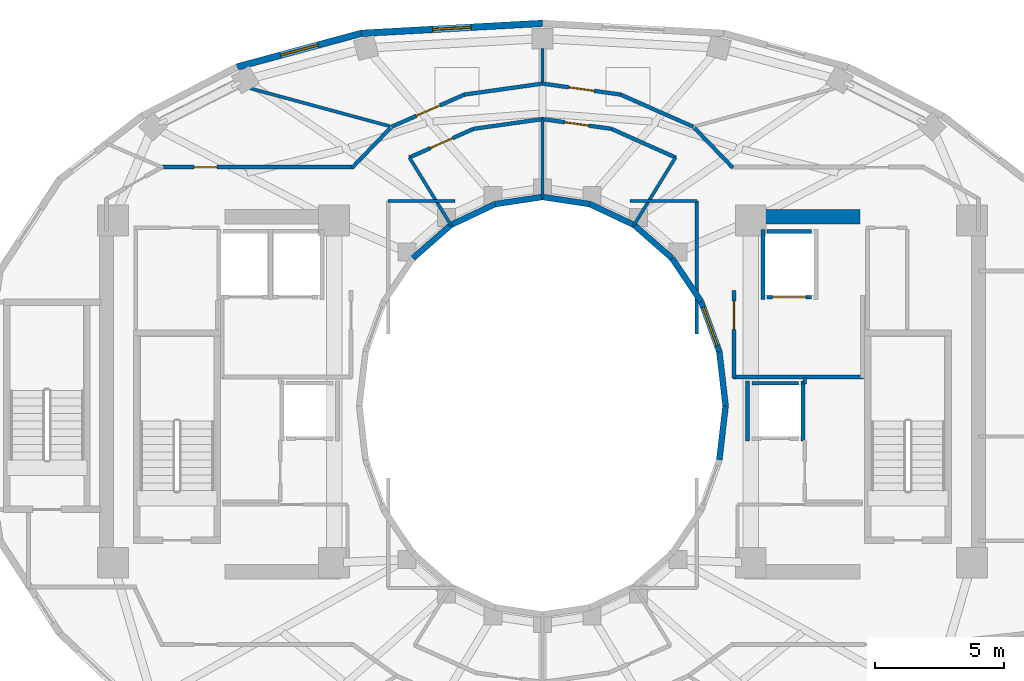
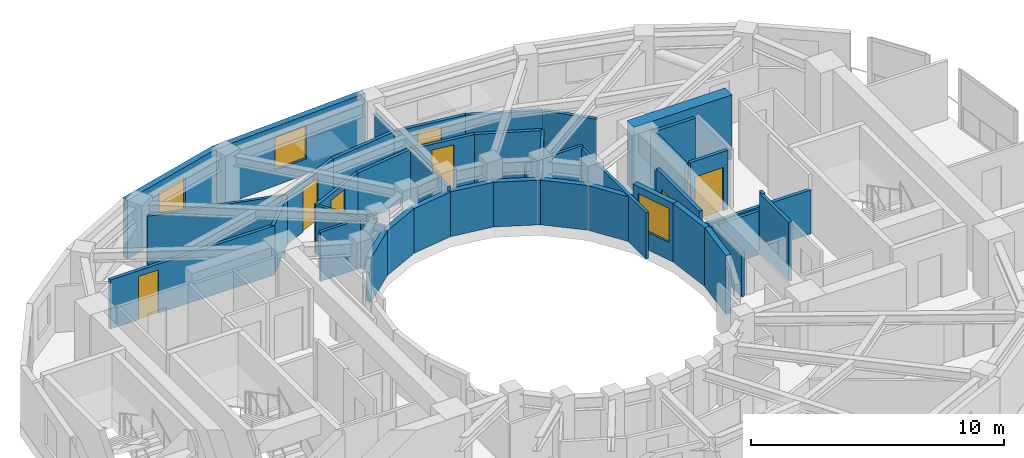
# One storey, part 8 of 12: 41 walls, 7 doors, 3 windows, 10 openings.
"""IFC4 building model written with IfcOpenShell, lengths in metres."""

from ifc_helpers import new_model, si_unit, direction, frame, frame_2d, origin, place, context, subcontext, project, spatial, rectangle, extrude, material, layer, layer_set, type_object, element, fill, save


model = new_model("IFC4")

# Units and contexts
model_context = context("Model", 3, precision=1e-05, world=origin(), true_north=direction((0.0, 1.0)))
body_context = subcontext(model_context, "Body", "Model", "MODEL_VIEW")
ifc_project = project(units=[si_unit("LENGTHUNIT", "METRE"), si_unit("AREAUNIT", "SQUARE_METRE"), si_unit("VOLUMEUNIT", "CUBIC_METRE"), si_unit("PLANEANGLEUNIT", "RADIAN"), si_unit("MASSUNIT", "GRAM", prefix="KILO")], contexts=[model_context])

# Site, building, storey
site_placement = place(None, origin())
site = spatial("IfcSite", under=ifc_project, at=site_placement, CompositionType="ELEMENT")
building_placement = place(site_placement, origin())
building = spatial("IfcBuilding", under=site, at=building_placement, Name="Solvane Sanctuary Tower", CompositionType="ELEMENT")
storey_placement = place(building_placement, frame((0.0, 0.0, 210.89990234375)))
storey = spatial("IfcBuildingStorey", under=building, at=storey_placement, Name="L64", CompositionType="ELEMENT", Elevation=210.89990234375)

# Walls
ifc_material_1 = material(Name="Concrete C50/60", Category="concrete")
ifc_layer_1 = layer(ifc_material_1, 0.550048828125, Name="Concrete C50/60")
ifc_layer_set_1 = layer_set([ifc_layer_1], Name="Concrete C50/60")
wall_type_1 = type_object("IfcWallType", Name="Wall W-CORE-550", PredefinedType="SHEAR", material=ifc_layer_set_1)
wall_1_placement = place(storey_placement, frame((39.85009765625, 30.35009765625, 0.0), z_axis=(0.0, 0.0, 1.0), x_axis=(1.0, 0.0, 0.0)))
element("IfcWall", 1, at=wall_1_placement, inside=storey, type_object=wall_type_1, Name="L64 Core Shear Wall EC-N", PredefinedType="SHEAR", context=body_context, shape_type="SweptSolid", body=[
    extrude(rectangle(XDim=4.5, YDim=0.550048828125, at=frame_2d((2.25, 0.0))), origin(), (0.0, 0.0, 1.0), 3.10009765625),
])
ifc_material_2 = material(Name="Acoustic Gypsum Partition Board")
ifc_layer_2 = layer(ifc_material_2, 0.14990234375, Name="Acoustic Gypsum Partition Board")
ifc_layer_set_2 = layer_set([ifc_layer_2], Name="Acoustic Gypsum Partition Board")
wall_type_2 = type_object("IfcWallType", Name="Wall W-CORR-150", PredefinedType="PARTITIONING", material=ifc_layer_set_2)
wall_2_placement = place(storey_placement, frame((39.39990234375, 24.1201171875, 0.0), z_axis=(0.0, 0.0, 1.0), x_axis=(1.0, 0.0, 0.0)))
element("IfcWall", 2, at=wall_2_placement, inside=storey, type_object=wall_type_2, Name="L64 East Firefighting Lobby South Wall", PredefinedType="PARTITIONING", context=body_context, shape_type="SweptSolid", body=[
    extrude(rectangle(XDim=5.080078125, YDim=0.14990234375, at=frame_2d((2.5400390625, 0.0))), origin(), (0.0, 0.0, 1.0), 2.1201171875),
])

# Wall, opening, door
wall_3_placement = place(storey_placement, frame((39.449951171875, 24.080078125, 0.0), z_axis=(0.0, 0.0, 1.0), x_axis=(0.0, 1.0, 0.0)))
wall_3 = element("IfcWall", 3, at=wall_3_placement, inside=storey, type_object=wall_type_2, Name="L64 East Firefighting Lobby West Wall", PredefinedType="PARTITIONING", context=body_context, shape_type="SweptSolid", body=[
    extrude(rectangle(XDim=3.39990234375, YDim=0.14990234375, at=frame_2d((1.699951171875, 0.0))), origin(), (0.0, 0.0, 1.0), 2.85498046875),
])
opening_1_placement = place(wall_3_placement, frame((1.893798828125, 0.0, 0.0)))
opening_1 = element("IfcOpeningElement", 4, at=opening_1_placement, cuts=wall_3, Name="Opening D-L64-05", PredefinedType="OPENING", context=body_context, shape_type="SweptSolid", body=[
    extrude(rectangle(XDim=1.10009765625, YDim=2.10009765625, at=frame_2d((0.550048828125, 1.050048828125))), frame((0.0, 0.0849609375, 0.0), z_axis=(0.0, -1.0, 0.0), x_axis=(1.0, 0.0, 0.0)), (0.0, 0.0, 1.0), 0.169921875),
])
ifc_material_3 = material(Name="Architectural Stainless Steel 316", Category="steel")
door_type_1 = type_object("IfcDoorType", Name="Door D-FFL", OperationType="NOTDEFINED", PredefinedType="DOOR", material=ifc_material_3)
door_1_placement = place(opening_1_placement, origin())
door_1 = element("IfcDoor", 5, at=door_1_placement, inside=storey, type_object=door_type_1, Name="L64 East Firefighting Lobby Fire Door", OperationType="SINGLE_SWING_LEFT", OverallHeight=2.10009765625, OverallWidth=1.10009765625, PredefinedType="DOOR", context=body_context, shape_type="SweptSolid", body=[
    extrude(rectangle(XDim=1.10009765625, YDim=2.10009765625, at=frame_2d((0.550048828125, 1.050048828125))), frame((0.0, 0.02490234375, 0.0), z_axis=(0.0, -1.0, 0.0), x_axis=(1.0, 0.0, 0.0)), (0.0, 0.0, 1.0), 0.050048828125),
])
fill(opening_1, door_1)

# Wall
wall_4_placement = place(storey_placement, frame((37.181396484375, 32.65234375, 0.0), z_axis=(0.0, 0.0, 1.0), x_axis=(-0.913120130558, 0.407690602257, 0.0)))
element("IfcWall", 6, at=wall_4_placement, inside=storey, type_object=wall_type_2, Name="L64 Light-Well Alcove Corridor Wall 1", PredefinedType="PARTITIONING", context=body_context, shape_type="SweptSolid", body=[
    extrude(rectangle(XDim=2.74267578125, YDim=0.14990234375, at=frame_2d((1.371337890625, 0.0))), origin(), (0.0, 0.0, 1.0), 2.3759765625),
])

# Wall, opening, door
wall_5_placement = place(storey_placement, frame((34.680419921875, 33.76953125, 0.0), z_axis=(0.0, 0.0, 1.0), x_axis=(-0.990132151456, 0.140136799779, 0.0)))
wall_5 = element("IfcWall", 7, at=wall_5_placement, inside=storey, type_object=wall_type_2, Name="L64 Light-Well Alcove Corridor Wall 1", PredefinedType="PARTITIONING", context=body_context, shape_type="SweptSolid", body=[
    extrude(rectangle(XDim=2.71435546875, YDim=0.14990234375, at=frame_2d((1.357177734375, 0.0))), origin(), (0.0, 0.0, 1.0), 2.3759765625),
])
opening_2_placement = place(wall_5_placement, frame((0.882080078125, 0.0, 0.0)))
opening_2 = element("IfcOpeningElement", 8, at=opening_2_placement, cuts=wall_5, Name="Opening D-L64-12", PredefinedType="OPENING", context=body_context, shape_type="SweptSolid", body=[
    extrude(rectangle(XDim=0.949951171875, YDim=2.10009765625, at=frame_2d((0.47509765625, 1.050048828125))), frame((0.0, 0.0849609375, 0.0), z_axis=(0.0, -1.0, 0.0), x_axis=(1.0, 0.0, 0.0)), (0.0, 0.0, 1.0), 0.169921875),
])
ifc_material_4 = material(Name="Engineered Tropical Hardwood", Category="wood")
door_type_2 = type_object("IfcDoorType", Name="Door D-ROOM-950", OperationType="NOTDEFINED", PredefinedType="DOOR", material=ifc_material_4)
door_2_placement = place(opening_2_placement, origin())
door_2 = element("IfcDoor", 9, at=door_2_placement, inside=storey, type_object=door_type_2, Name="L64 Light-Well Alcove Door 1", OperationType="SINGLE_SWING_RIGHT", OverallHeight=2.10009765625, OverallWidth=0.949951171875, PredefinedType="DOOR", context=body_context, shape_type="SweptSolid", body=[
    extrude(rectangle(XDim=0.949951171875, YDim=2.10009765625, at=frame_2d((0.47509765625, 1.050048828125))), frame((0.0, 0.02490234375, 0.0), z_axis=(0.0, -1.0, 0.0), x_axis=(1.0, 0.0, 0.0)), (0.0, 0.0, 1.0), 0.050048828125),
])
fill(opening_2, door_2)

# Wall
wall_6_placement = place(storey_placement, frame((32.007080078125, 34.14990234375, 0.0), z_axis=(0.0, 0.0, 1.0), x_axis=(-0.990132151456, -0.140136799779, 0.0)))
element("IfcWall", 10, at=wall_6_placement, inside=storey, type_object=wall_type_2, Name="L64 Light-Well Alcove Corridor Wall 2", PredefinedType="PARTITIONING", context=body_context, shape_type="SweptSolid", body=[
    extrude(rectangle(XDim=2.71435546875, YDim=0.14990234375, at=frame_2d((1.357177734375, 0.0))), origin(), (0.0, 0.0, 1.0), 2.3759765625),
])

# Wall, opening, door
wall_7_placement = place(storey_placement, frame((29.322998046875, 33.7705078125, 0.0), z_axis=(0.0, 0.0, 1.0), x_axis=(-0.913120130558, -0.407690602257, 0.0)))
wall_7 = element("IfcWall", 11, at=wall_7_placement, inside=storey, type_object=wall_type_2, Name="L64 Light-Well Alcove Corridor Wall 2", PredefinedType="PARTITIONING", context=body_context, shape_type="SweptSolid", body=[
    extrude(rectangle(XDim=2.74267578125, YDim=0.14990234375, at=frame_2d((1.371337890625, 0.0))), origin(), (0.0, 0.0, 1.0), 2.3759765625),
])
opening_3_placement = place(wall_7_placement, frame((0.896240234375, 0.0, 0.0)))
opening_3 = element("IfcOpeningElement", 12, at=opening_3_placement, cuts=wall_7, Name="Opening D-L64-13", PredefinedType="OPENING", context=body_context, shape_type="SweptSolid", body=[
    extrude(rectangle(XDim=0.949951171875, YDim=2.10009765625, at=frame_2d((0.47509765625, 1.050048828125))), frame((0.0, 0.0849609375, 0.0), z_axis=(0.0, -1.0, 0.0), x_axis=(1.0, 0.0, 0.0)), (0.0, 0.0, 1.0), 0.169921875),
])
door_3_placement = place(opening_3_placement, origin())
door_3 = element("IfcDoor", 13, at=door_3_placement, inside=storey, type_object=door_type_2, Name="L64 Light-Well Alcove Door 2", OperationType="SINGLE_SWING_LEFT", OverallHeight=2.10009765625, OverallWidth=0.949951171875, PredefinedType="DOOR", context=body_context, shape_type="SweptSolid", body=[
    extrude(rectangle(XDim=0.949951171875, YDim=2.10009765625, at=frame_2d((0.47509765625, 1.050048828125))), frame((0.0, 0.02490234375, 0.0), z_axis=(0.0, -1.0, 0.0), x_axis=(1.0, 0.0, 0.0)), (0.0, 0.0, 1.0), 0.050048828125),
])
fill(opening_3, door_3)

# Walls
for number, where, z_axis, x_axis, name in (
    (14, (37.9033203125, 33.811767578125, 0.0), (0.0, 0.0, 1.0), (0.694032962553, -0.719943224768, 0.0), "L64 NE Corner Throat Wall"),
    (15, (26.0966796875, 33.811767578125, 0.0), (0.0, 0.0, 1.0), (-0.694032962553, -0.719943224768, 0.0), "L64 NW Corner Throat Wall"),
):
    element("IfcWall", number, at=place(storey_placement, frame(where, z_axis=z_axis, x_axis=x_axis)), inside=storey, type_object=wall_type_2, Name=name, PredefinedType="PARTITIONING", context=body_context, shape_type="SweptSolid", body=[
        extrude(rectangle(XDim=2.15771484375, YDim=0.14990234375, at=frame_2d((1.078857421875, 0.0))), origin(), (0.0, 0.0, 1.0), 2.3759765625),
    ])

# Wall, opening, door
wall_8_placement = place(storey_placement, frame((17.14990234375, 32.280029296875, 0.0), z_axis=(0.0, 0.0, 1.0), x_axis=(1.0, 0.0, 0.0)))
wall_8 = element("IfcWall", 16, at=wall_8_placement, inside=storey, type_object=wall_type_2, Name="L64 NW Corner Corridor Wall", PredefinedType="PARTITIONING", context=body_context, shape_type="SweptSolid", body=[
    extrude(rectangle(XDim=7.52001953125, YDim=0.14990234375, at=frame_2d((3.760009765625, 0.0))), origin(), (0.0, 0.0, 1.0), 2.3759765625),
])
opening_4_placement = place(wall_8_placement, frame((1.300048828125, 0.0, 0.0)))
opening_4 = element("IfcOpeningElement", 17, at=opening_4_placement, cuts=wall_8, Name="Opening D-L64-19", PredefinedType="OPENING", context=body_context, shape_type="SweptSolid", body=[
    extrude(rectangle(XDim=0.89990234375, YDim=2.10009765625, at=frame_2d((0.449951171875, 1.050048828125))), frame((0.0, 0.0849609375, 0.0), z_axis=(0.0, -1.0, 0.0), x_axis=(1.0, 0.0, 0.0)), (0.0, 0.0, 1.0), 0.169921875),
])
door_type_3 = type_object("IfcDoorType", Name="Door D-WET-900", OperationType="NOTDEFINED", PredefinedType="DOOR", material=ifc_material_4)
door_4_placement = place(opening_4_placement, origin())
door_4 = element("IfcDoor", 18, at=door_4_placement, inside=storey, type_object=door_type_3, Name="L64 NW Corner Salon Door", OperationType="SINGLE_SWING_LEFT", OverallHeight=2.10009765625, OverallWidth=0.89990234375, PredefinedType="DOOR", context=body_context, shape_type="SweptSolid", body=[
    extrude(rectangle(XDim=0.89990234375, YDim=2.10009765625, at=frame_2d((0.449951171875, 1.050048828125))), frame((0.0, 0.02490234375, 0.0), z_axis=(0.0, -1.0, 0.0), x_axis=(1.0, 0.0, 0.0)), (0.0, 0.0, 1.0), 0.050048828125),
])
fill(opening_4, door_4)

# Wall
wall_9_placement = place(storey_placement, frame((37.8720703125, 33.846923828125, 0.0), z_axis=(0.0, 0.0, 1.0), x_axis=(-0.914490094652, 0.40460828808, 0.0)))
element("IfcWall", 19, at=wall_9_placement, inside=storey, type_object=wall_type_2, Name="L64 Unit Corridor Wall N1", PredefinedType="PARTITIONING", context=body_context, shape_type="SweptSolid", body=[
    extrude(rectangle(XDim=3.10986328125, YDim=0.14990234375, at=frame_2d((1.554931640625, 0.0))), origin(), (0.0, 0.0, 1.0), 2.3759765625),
])

# Wall, opening, door
wall_10_placement = place(storey_placement, frame((35.0439453125, 35.100830078125, 0.0), z_axis=(0.0, 0.0, 1.0), x_axis=(-0.990257602807, 0.139247549651, 0.0)))
wall_10 = element("IfcWall", 20, at=wall_10_placement, inside=storey, type_object=wall_type_2, Name="L64 Unit Corridor Wall N1", PredefinedType="PARTITIONING", context=body_context, shape_type="SweptSolid", body=[
    extrude(rectangle(XDim=3.082275390625, YDim=0.14990234375, at=frame_2d((1.541015625, 0.0))), origin(), (0.0, 0.0, 1.0), 2.3759765625),
])
opening_5_placement = place(wall_10_placement, frame((1.041015625, 0.0, 0.0)))
opening_5 = element("IfcOpeningElement", 21, at=opening_5_placement, cuts=wall_10, Name="Opening D-L64-23", PredefinedType="OPENING", context=body_context, shape_type="SweptSolid", body=[
    extrude(rectangle(XDim=1.0, YDim=2.10009765625, at=frame_2d((0.5, 1.050048828125))), frame((0.0, 0.0849609375, 0.0), z_axis=(0.0, -1.0, 0.0), x_axis=(1.0, 0.0, 0.0)), (0.0, 0.0, 1.0), 0.169921875),
])
door_type_4 = type_object("IfcDoorType", Name="Door D-UNIT", OperationType="NOTDEFINED", PredefinedType="DOOR", material=ifc_material_4)
door_5_placement = place(opening_5_placement, origin())
door_5 = element("IfcDoor", 22, at=door_5_placement, inside=storey, type_object=door_type_4, Name="L64 Unit Entrance Door N1", OperationType="SINGLE_SWING_LEFT", OverallHeight=2.10009765625, OverallWidth=1.0, PredefinedType="DOOR", context=body_context, shape_type="SweptSolid", body=[
    extrude(rectangle(XDim=1.0, YDim=2.10009765625, at=frame_2d((0.5, 1.050048828125))), frame((0.0, 0.02490234375, 0.0), z_axis=(0.0, -1.0, 0.0), x_axis=(1.0, 0.0, 0.0)), (0.0, 0.0, 1.0), 0.050048828125),
])
fill(opening_5, door_5)

# Wall
wall_11_placement = place(storey_placement, frame((32.00830078125, 35.530029296875, 0.0), z_axis=(0.0, 0.0, 1.0), x_axis=(-0.990257602807, -0.139247549651, 0.0)))
element("IfcWall", 23, at=wall_11_placement, inside=storey, type_object=wall_type_2, Name="L64 Unit Corridor Wall N2", PredefinedType="PARTITIONING", context=body_context, shape_type="SweptSolid", body=[
    extrude(rectangle(XDim=3.082275390625, YDim=0.14990234375, at=frame_2d((1.541015625, 0.0))), origin(), (0.0, 0.0, 1.0), 2.3759765625),
])

# Wall, opening, door
wall_12_placement = place(storey_placement, frame((28.971923828125, 35.105224609375, 0.0), z_axis=(0.0, 0.0, 1.0), x_axis=(-0.914490094652, -0.40460828808, 0.0)))
wall_12 = element("IfcWall", 24, at=wall_12_placement, inside=storey, type_object=wall_type_2, Name="L64 Unit Corridor Wall N2", PredefinedType="PARTITIONING", context=body_context, shape_type="SweptSolid", body=[
    extrude(rectangle(XDim=3.10986328125, YDim=0.14990234375, at=frame_2d((1.554931640625, 0.0))), origin(), (0.0, 0.0, 1.0), 2.3759765625),
])
opening_6_placement = place(wall_12_placement, frame((1.054931640625, 0.0, 0.0)))
opening_6 = element("IfcOpeningElement", 25, at=opening_6_placement, cuts=wall_12, Name="Opening D-L64-24", PredefinedType="OPENING", context=body_context, shape_type="SweptSolid", body=[
    extrude(rectangle(XDim=1.0, YDim=2.10009765625, at=frame_2d((0.5, 1.050048828125))), frame((0.0, 0.0849609375, 0.0), z_axis=(0.0, -1.0, 0.0), x_axis=(1.0, 0.0, 0.0)), (0.0, 0.0, 1.0), 0.169921875),
])
door_6_placement = place(opening_6_placement, origin())
door_6 = element("IfcDoor", 26, at=door_6_placement, inside=storey, type_object=door_type_4, Name="L64 Unit Entrance Door N2", OperationType="SINGLE_SWING_RIGHT", OverallHeight=2.10009765625, OverallWidth=1.0, PredefinedType="DOOR", context=body_context, shape_type="SweptSolid", body=[
    extrude(rectangle(XDim=1.0, YDim=2.10009765625, at=frame_2d((0.5, 1.050048828125))), frame((0.0, 0.02490234375, 0.0), z_axis=(0.0, -1.0, 0.0), x_axis=(1.0, 0.0, 0.0)), (0.0, 0.0, 1.0), 0.050048828125),
])
fill(opening_6, door_6)

# Wall, opening, window
ifc_material_5 = material(Name="Precast concrete C40/50", Category="concrete")
ifc_layer_3 = layer(ifc_material_5, 0.260009765625, Name="Precast concrete C40/50")
ifc_layer_set_3 = layer_set([ifc_layer_3], Name="Precast concrete C40/50")
wall_type_3 = type_object("IfcWallType", Name="Wall W-EXT-250", PredefinedType="STANDARD", material=ifc_layer_set_3)
wall_13_placement = place(storey_placement, frame((32.0, 37.8720703125, 0.0), z_axis=(0.0, 0.0, 1.0), x_axis=(-0.998490239527, -0.054929423535, 0.0)))
wall_13 = element("IfcWall", 27, at=wall_13_placement, inside=storey, type_object=wall_type_3, Name="L64 Ceramic-Printed Facade Wall 06", PredefinedType="STANDARD", context=body_context, shape_type="SweptSolid", body=[
    extrude(rectangle(XDim=7.0537109375, YDim=0.260009765625, at=frame_2d((3.52685546875, 0.0))), origin(), (0.0, 0.0, 1.0), 2.85009765625),
])
opening_7_placement = place(wall_13_placement, frame((2.77685546875, 0.0, 0.75)))
opening_7 = element("IfcOpeningElement", 28, at=opening_7_placement, cuts=wall_13, Name="Opening WN-OPER-1500", PredefinedType="OPENING", context=body_context, shape_type="SweptSolid", body=[
    extrude(rectangle(XDim=1.5, YDim=1.60009765625, at=frame_2d((0.75, 0.800048828125))), frame((0.0, 0.139892578125, 0.0), z_axis=(0.0, -1.0, 0.0), x_axis=(1.0, 0.0, 0.0)), (0.0, 0.0, 1.0), 0.280029296875),
])
ifc_material_6 = material(Name="Dark Ceramic-Fritted Low-E Glass", Category="glass")
window_type_1 = type_object("IfcWindowType", Name="Window WN-OPER-1500", PartitioningType="SINGLE_PANEL", PredefinedType="WINDOW", material=ifc_material_6)
window_1_placement = place(opening_7_placement, origin())
window_1 = element("IfcWindow", 29, at=window_1_placement, inside=storey, type_object=window_type_1, Name="L64 Operable Facade Window 06", OverallHeight=1.60009765625, OverallWidth=1.5, PartitioningType="SINGLE_PANEL", PredefinedType="WINDOW", context=body_context, shape_type="SweptSolid", body=[
    extrude(rectangle(XDim=1.5, YDim=1.60009765625, at=frame_2d((0.75, 0.800048828125))), frame((0.0, 0.030029296875, 0.0), z_axis=(0.0, -1.0, 0.0), x_axis=(1.0, 0.0, 0.0)), (0.0, 0.0, 1.0), 0.06005859375),
])
fill(opening_7, window_1)

wall_14_placement = place(storey_placement, frame((24.95703125, 37.484619140625, 0.0), z_axis=(0.0, 0.0, 1.0), x_axis=(-0.965213026382, -0.261464746576, 0.0)))
wall_14 = element("IfcWall", 30, at=wall_14_placement, inside=storey, type_object=wall_type_3, Name="L64 Ceramic-Printed Facade Wall 07", PredefinedType="STANDARD", context=body_context, shape_type="SweptSolid", body=[
    extrude(rectangle(XDim=5.001220703125, YDim=0.260009765625, at=frame_2d((2.50048828125, 0.0))), origin(), (0.0, 0.0, 1.0), 2.85009765625),
])
opening_8_placement = place(wall_14_placement, frame((1.75048828125, 0.0, 0.75)))
opening_8 = element("IfcOpeningElement", 31, at=opening_8_placement, cuts=wall_14, Name="Opening WN-OPER-1500", PredefinedType="OPENING", context=body_context, shape_type="SweptSolid", body=[
    extrude(rectangle(XDim=1.5, YDim=1.60009765625, at=frame_2d((0.75, 0.800048828125))), frame((0.0, 0.139892578125, 0.0), z_axis=(0.0, -1.0, 0.0), x_axis=(1.0, 0.0, 0.0)), (0.0, 0.0, 1.0), 0.280029296875),
])
window_2_placement = place(opening_8_placement, origin())
window_2 = element("IfcWindow", 32, at=window_2_placement, inside=storey, type_object=window_type_1, Name="L64 Operable Facade Window 07", OverallHeight=1.60009765625, OverallWidth=1.5, PartitioningType="SINGLE_PANEL", PredefinedType="WINDOW", context=body_context, shape_type="SweptSolid", body=[
    extrude(rectangle(XDim=1.5, YDim=1.60009765625, at=frame_2d((0.75, 0.800048828125))), frame((0.0, 0.030029296875, 0.0), z_axis=(0.0, -1.0, 0.0), x_axis=(1.0, 0.0, 0.0)), (0.0, 0.0, 1.0), 0.06005859375),
])
fill(opening_8, window_2)

# Wall
ifc_layer_4 = layer(ifc_material_5, 0.22998046875, Name="Precast concrete C40/50")
ifc_layer_set_4 = layer_set([ifc_layer_4], Name="Precast concrete C40/50")
wall_type_4 = type_object("IfcWallType", Name="Wall W-EXT-SP220", PredefinedType="STANDARD", material=ifc_layer_set_4)
wall_15_placement = place(storey_placement, frame((39.1201171875, 23.0, 0.0), z_axis=(0.0, 0.0, 1.0), x_axis=(-0.114711713601, 0.993398823617, 0.0)))
element("IfcWall", 33, at=wall_15_placement, inside=storey, type_object=wall_type_4, Name="L64 Central Light-Well Wall 00", PredefinedType="STANDARD", context=body_context, shape_type="SweptSolid", body=[
    extrude(rectangle(XDim=2.115478515625, YDim=0.22998046875, at=frame_2d((1.0576171875, 0.0))), origin(), (0.0, 0.0, 1.0), 2.840087890625),
])

# Wall, opening, window
wall_16_placement = place(storey_placement, frame((38.87744140625, 25.1015625, 0.0), z_axis=(0.0, 0.0, 1.0), x_axis=(-0.341423187295, 0.93990968033, 0.0)))
wall_16 = element("IfcWall", 34, at=wall_16_placement, inside=storey, type_object=wall_type_4, Name="L64 Central Light-Well Wall 01", PredefinedType="STANDARD", context=body_context, shape_type="SweptSolid", body=[
    extrude(rectangle(XDim=2.083740234375, YDim=0.22998046875, at=frame_2d((1.0419921875, 0.0))), origin(), (0.0, 0.0, 1.0), 2.840087890625),
])
opening_9_placement = place(wall_16_placement, frame((0.24169921875, 0.0, 0.85009765625)))
opening_9 = element("IfcOpeningElement", 35, at=opening_9_placement, cuts=wall_16, Name="Opening WN-WELL-1600", PredefinedType="OPENING", context=body_context, shape_type="SweptSolid", body=[
    extrude(rectangle(XDim=1.60009765625, YDim=1.64990234375, at=frame_2d((0.800048828125, 0.824951171875))), frame((0.0, 0.125, 0.0), z_axis=(0.0, -1.0, 0.0), x_axis=(1.0, 0.0, 0.0)), (0.0, 0.0, 1.0), 0.25),
])
ifc_material_7 = material(Name="Clear Laminated Light-Well Glass", Category="glass")
window_type_2 = type_object("IfcWindowType", Name="Window WN-WELL-1600", PartitioningType="SINGLE_PANEL", PredefinedType="WINDOW", material=ifc_material_7)
window_3_placement = place(opening_9_placement, origin())
window_3 = element("IfcWindow", 36, at=window_3_placement, inside=storey, type_object=window_type_2, Name="L64 Light-Well Daylight Window 01", OverallHeight=1.64990234375, OverallWidth=1.60009765625, PartitioningType="SINGLE_PANEL", PredefinedType="WINDOW", context=body_context, shape_type="SweptSolid", body=[
    extrude(rectangle(XDim=1.60009765625, YDim=1.64990234375, at=frame_2d((0.800048828125, 0.824951171875))), frame((0.0, 0.030029296875, 0.0), z_axis=(0.0, -1.0, 0.0), x_axis=(1.0, 0.0, 0.0)), (0.0, 0.0, 1.0), 0.06005859375),
])
fill(opening_9, window_3)

# Walls
wall_17_placement = place(storey_placement, frame((38.166015625, 27.06005859375, 0.0), z_axis=(0.0, 0.0, 1.0), x_axis=(-0.558197800898, 0.829707909492, 0.0)))
element("IfcWall", 37, at=wall_17_placement, inside=storey, type_object=wall_type_4, Name="L64 Central Light-Well Wall 02", PredefinedType="STANDARD", context=body_context, shape_type="SweptSolid", body=[
    extrude(rectangle(XDim=2.02685546875, YDim=0.22998046875, at=frame_2d((1.013427734375, 0.0))), origin(), (0.0, 0.0, 1.0), 2.16015625),
])
wall_18_placement = place(storey_placement, frame((37.03466796875, 28.74169921875, 0.0), z_axis=(0.0, 0.0, 1.0), x_axis=(-0.752576694707, 0.658504607869, 0.0)))
element("IfcWall", 38, at=wall_18_placement, inside=storey, type_object=wall_type_4, Name="L64 Central Light-Well Wall 03", PredefinedType="STANDARD", context=body_context, shape_type="SweptSolid", body=[
    extrude(rectangle(XDim=1.95947265625, YDim=0.22998046875, at=frame_2d((0.979736328125, 0.0))), origin(), (0.0, 0.0, 1.0), 2.16015625),
])
wall_19_placement = place(storey_placement, frame((35.56005859375, 30.031982421875, 0.0), z_axis=(0.0, 0.0, 1.0), x_axis=(-0.904179699603, 0.427152280606, 0.0)))
element("IfcWall", 39, at=wall_19_placement, inside=storey, type_object=wall_type_4, Name="L64 Central Light-Well Wall 04", PredefinedType="STANDARD", context=body_context, shape_type="SweptSolid", body=[
    extrude(rectangle(XDim=1.899169921875, YDim=0.22998046875, at=frame_2d((0.94970703125, 0.0))), origin(), (0.0, 0.0, 1.0), 2.16015625),
])
for number, where, z_axis, x_axis, name in (
    (40, (33.8427734375, 30.84326171875, 0.0), (0.0, 0.0, 1.0), (-0.988901730308, 0.148571086668, 0.0), "L64 Central Light-Well Wall 05"),
    (41, (32.0, 31.1201171875, 0.0), (0.0, 0.0, 1.0), (-0.988901730308, -0.148571086668, 0.0), "L64 Central Light-Well Wall 06"),
):
    element("IfcWall", number, at=place(storey_placement, frame(where, z_axis=z_axis, x_axis=x_axis)), inside=storey, type_object=wall_type_4, Name=name, PredefinedType="STANDARD", context=body_context, shape_type="SweptSolid", body=[
        extrude(rectangle(XDim=1.863525390625, YDim=0.22998046875, at=frame_2d((0.931640625, 0.0))), origin(), (0.0, 0.0, 1.0), 2.16015625),
    ])
wall_20_placement = place(storey_placement, frame((30.1572265625, 30.84326171875, 0.0), z_axis=(0.0, 0.0, 1.0), x_axis=(-0.904179699603, -0.427152280606, 0.0)))
element("IfcWall", 42, at=wall_20_placement, inside=storey, type_object=wall_type_4, Name="L64 Central Light-Well Wall 07", PredefinedType="STANDARD", context=body_context, shape_type="SweptSolid", body=[
    extrude(rectangle(XDim=1.899169921875, YDim=0.22998046875, at=frame_2d((0.94970703125, 0.0))), origin(), (0.0, 0.0, 1.0), 2.16015625),
])
wall_21_placement = place(storey_placement, frame((28.43994140625, 30.031982421875, 0.0), z_axis=(0.0, 0.0, 1.0), x_axis=(-0.752576694707, -0.658504607869, 0.0)))
element("IfcWall", 43, at=wall_21_placement, inside=storey, type_object=wall_type_4, Name="L64 Central Light-Well Wall 08", PredefinedType="STANDARD", context=body_context, shape_type="SweptSolid", body=[
    extrude(rectangle(XDim=1.95947265625, YDim=0.22998046875, at=frame_2d((0.979736328125, 0.0))), origin(), (0.0, 0.0, 1.0), 2.16015625),
])
wall_22_placement = place(storey_placement, frame((38.87744140625, 20.8984375, 0.0), z_axis=(0.0, 0.0, 1.0), x_axis=(0.114711713601, 0.993398823617, 0.0)))
element("IfcWall", 44, at=wall_22_placement, inside=storey, type_object=wall_type_4, Name="L64 Central Light-Well Wall 23", PredefinedType="STANDARD", context=body_context, shape_type="SweptSolid", body=[
    extrude(rectangle(XDim=2.115478515625, YDim=0.22998046875, at=frame_2d((1.0576171875, 0.0))), origin(), (0.0, 0.0, 1.0), 2.840087890625),
])
ifc_layer_5 = layer(ifc_material_2, 0.125, Name="Acoustic Gypsum Partition Board")
ifc_layer_set_5 = layer_set([ifc_layer_5], Name="Acoustic Gypsum Partition Board")
wall_type_5 = type_object("IfcWallType", Name="Wall W-PART-125", PredefinedType="PARTITIONING", material=ifc_layer_set_5)
wall_23_placement = place(storey_placement, frame((42.199951171875, 23.85009765625, 0.0), z_axis=(0.0, 0.0, 1.0), x_axis=(0.0, 1.0, 0.0)))
element("IfcWall", 45, at=wall_23_placement, inside=storey, type_object=wall_type_5, Name="L64 Reclaimed Room Dividing Wall PME", PredefinedType="PARTITIONING", context=body_context, shape_type="SweptSolid", body=[
    extrude(rectangle(XDim=0.25, YDim=0.125, at=frame_2d((0.125, 0.0))), origin(), (0.0, 0.0, 1.0), 2.85498046875),
])
wall_24_placement = place(storey_placement, frame((35.550048828125, 30.014892578125, 0.0), z_axis=(0.0, 0.0, 1.0), x_axis=(0.523992004803, 0.851723182086, 0.0)))
element("IfcWall", 46, at=wall_24_placement, inside=storey, type_object=wall_type_5, Name="L64 Light-Well Alcove Radial Wall 60", PredefinedType="PARTITIONING", context=body_context, shape_type="SweptSolid", body=[
    extrude(rectangle(XDim=3.10107421875, YDim=0.125, at=frame_2d((1.550537109375, 0.0))), origin(), (0.0, 0.0, 1.0), 2.3759765625),
])
wall_25_placement = place(storey_placement, frame((32.0, 31.10009765625, 0.0), z_axis=(0.0, 0.0, 1.0), x_axis=(0.0, 1.0, 0.0)))
element("IfcWall", 47, at=wall_25_placement, inside=storey, type_object=wall_type_5, Name="L64 Light-Well Alcove Radial Wall 90", PredefinedType="PARTITIONING", context=body_context, shape_type="SweptSolid", body=[
    extrude(rectangle(XDim=3.0498046875, YDim=0.125, at=frame_2d((1.52490234375, 0.0))), origin(), (0.0, 0.0, 1.0), 2.3759765625),
])
wall_26_placement = place(storey_placement, frame((28.449951171875, 30.014892578125, 0.0), z_axis=(0.0, 0.0, 1.0), x_axis=(-0.523992004803, 0.851723182086, 0.0)))
element("IfcWall", 48, at=wall_26_placement, inside=storey, type_object=wall_type_5, Name="L64 Light-Well Alcove Radial Wall 120", PredefinedType="PARTITIONING", context=body_context, shape_type="SweptSolid", body=[
    extrude(rectangle(XDim=3.10107421875, YDim=0.125, at=frame_2d((1.550537109375, 0.0))), origin(), (0.0, 0.0, 1.0), 2.3759765625),
])
wall_27_placement = place(storey_placement, frame((26.0, 30.9599609375, 0.0), z_axis=(0.0, 0.0, 1.0), x_axis=(1.0, 0.0, 0.0)))
element("IfcWall", 49, at=wall_27_placement, inside=storey, type_object=wall_type_5, Name="L64 Bridge Alcove Wall 2", PredefinedType="PARTITIONING", context=body_context, shape_type="SweptSolid", body=[
    extrude(rectangle(XDim=2.60009765625, YDim=0.125, at=frame_2d((1.300048828125, 0.0))), origin(), (0.0, 0.0, 1.0), 2.3759765625),
])
wall_28_placement = place(storey_placement, frame((38.0, 25.800048828125, 0.0), z_axis=(0.0, 0.0, 1.0), x_axis=(0.0, 1.0, 0.0)))
element("IfcWall", 50, at=wall_28_placement, inside=storey, type_object=wall_type_5, Name="L64 Bridge Alcove Wall 3", PredefinedType="PARTITIONING", context=body_context, shape_type="SweptSolid", body=[
    extrude(rectangle(XDim=5.159912109375, YDim=0.125, at=frame_2d((2.580078125, 0.0))), origin(), (0.0, 0.0, 1.0), 2.232177734375),
])
wall_29_placement = place(storey_placement, frame((35.39990234375, 30.9599609375, 0.0), z_axis=(0.0, 0.0, 1.0), x_axis=(1.0, 0.0, 0.0)))
element("IfcWall", 51, at=wall_29_placement, inside=storey, type_object=wall_type_5, Name="L64 Bridge Alcove Wall 4", PredefinedType="PARTITIONING", context=body_context, shape_type="SweptSolid", body=[
    extrude(rectangle(XDim=2.60009765625, YDim=0.125, at=frame_2d((1.300048828125, 0.0))), origin(), (0.0, 0.0, 1.0), 2.3759765625),
])
wall_30_placement = place(storey_placement, frame((32.0, 35.5849609375, 0.0), z_axis=(0.0, 0.0, 1.0), x_axis=(0.0, 1.0, 0.0)))
element("IfcWall", 52, at=wall_30_placement, inside=storey, type_object=wall_type_5, Name="L64 Radial Compartment Wall 090", PredefinedType="PARTITIONING", context=body_context, shape_type="SweptSolid", body=[
    extrude(rectangle(XDim=1.31494140625, YDim=0.125, at=frame_2d((0.657470703125, 0.0))), origin(), (0.0, 0.0, 1.0), 2.3759765625),
])
wall_31_placement = place(storey_placement, frame((26.081787109375, 33.86572265625, 0.0), z_axis=(0.0, 0.0, 1.0), x_axis=(-0.965109390289, 0.261847025523, 0.0)))
element("IfcWall", 53, at=wall_31_placement, inside=storey, type_object=wall_type_5, Name="L64 Radial Compartment Wall 120", PredefinedType="PARTITIONING", context=body_context, shape_type="SweptSolid", body=[
    extrude(rectangle(XDim=5.643798828125, YDim=0.125, at=frame_2d((2.82177734375, 0.0))), origin(), (0.0, 0.0, 1.0), 2.3759765625),
])
ifc_layer_6 = layer(ifc_material_1, 0.14990234375, Name="Concrete C50/60")
ifc_layer_set_6 = layer_set([ifc_layer_6], Name="Concrete C50/60")
wall_type_6 = type_object("IfcWallType", Name="Wall W-SHAFT-150", PredefinedType="SOLIDWALL", material=ifc_layer_set_6)
wall_32_placement = place(storey_placement, frame((40.139892578125, 23.8798828125, 0.0), z_axis=(0.0, 0.0, 1.0), x_axis=(1.0, 0.0, 0.0)))
element("IfcWall", 54, at=wall_32_placement, inside=storey, type_object=wall_type_6, Name="L64 PH-2 Lift Shaft Wall B", PredefinedType="SOLIDWALL", context=body_context, shape_type="SweptSolid", body=[
    extrude(rectangle(XDim=1.820068359375, YDim=0.14990234375, at=frame_2d((0.91015625, 0.0))), origin(), (0.0, 0.0, 1.0), 2.1201171875),
])
wall_33_placement = place(storey_placement, frame((39.969970703125, 21.639892578125, 0.0), z_axis=(0.0, 0.0, 1.0), x_axis=(0.0, 1.0, 0.0)))
element("IfcWall", 55, at=wall_33_placement, inside=storey, type_object=wall_type_6, Name="L64 PH-2 Lift Shaft Wall S1", PredefinedType="SOLIDWALL", context=body_context, shape_type="SweptSolid", body=[
    extrude(rectangle(XDim=2.320068359375, YDim=0.14990234375, at=frame_2d((1.16015625, 0.0))), origin(), (0.0, 0.0, 1.0), 2.1201171875),
])
wall_34_placement = place(storey_placement, frame((42.1298828125, 21.639892578125, 0.0), z_axis=(0.0, 0.0, 1.0), x_axis=(0.0, 1.0, 0.0)))
element("IfcWall", 56, at=wall_34_placement, inside=storey, type_object=wall_type_6, Name="L64 PH-2 Lift Shaft Wall S2", PredefinedType="SOLIDWALL", context=body_context, shape_type="SweptSolid", body=[
    extrude(rectangle(XDim=2.320068359375, YDim=0.14990234375, at=frame_2d((1.16015625, 0.0))), origin(), (0.0, 0.0, 1.0), 2.85498046875),
])

# Wall, opening, door
wall_35_placement = place(storey_placement, frame((40.739990234375, 27.219970703125, 0.0), z_axis=(0.0, 0.0, 1.0), x_axis=(1.0, 0.0, 0.0)))
wall_35 = element("IfcWall", 57, at=wall_35_placement, inside=storey, type_object=wall_type_6, Name="L64 FFL-2 Lift Shaft Wall F", PredefinedType="SOLIDWALL", context=body_context, shape_type="SweptSolid", body=[
    extrude(rectangle(XDim=1.719970703125, YDim=0.14990234375, at=frame_2d((0.85986328125, 0.0))), origin(), (0.0, 0.0, 1.0), 2.85498046875),
])
opening_10_placement = place(wall_35_placement, frame((0.2099609375, 0.0, 0.0)))
opening_10 = element("IfcOpeningElement", 58, at=opening_10_placement, cuts=wall_35, Name="Opening LD-L64-05", PredefinedType="OPENING", context=body_context, shape_type="SweptSolid", body=[
    extrude(rectangle(XDim=1.300048828125, YDim=2.10009765625, at=frame_2d((0.64990234375, 1.050048828125))), frame((0.0, 0.0849609375, 0.0), z_axis=(0.0, -1.0, 0.0), x_axis=(1.0, 0.0, 0.0)), (0.0, 0.0, 1.0), 0.169921875),
])
door_type_5 = type_object("IfcDoorType", Name="Door LD-FFL-1300", OperationType="NOTDEFINED", PredefinedType="DOOR", material=ifc_material_3)
door_7_placement = place(opening_10_placement, origin())
door_7 = element("IfcDoor", 59, at=door_7_placement, inside=storey, type_object=door_type_5, Name="L64 FFL-2 Lift Landing Door", OperationType="DOUBLE_DOOR_SLIDING", OverallHeight=2.10009765625, OverallWidth=1.300048828125, PredefinedType="DOOR", context=body_context, shape_type="SweptSolid", body=[
    extrude(rectangle(XDim=1.300048828125, YDim=2.10009765625, at=frame_2d((0.64990234375, 1.050048828125))), frame((0.0, 0.02490234375, 0.0), z_axis=(0.0, -1.0, 0.0), x_axis=(1.0, 0.0, 0.0)), (0.0, 0.0, 1.0), 0.050048828125),
])
fill(opening_10, door_7)

# Walls
wall_36_placement = place(storey_placement, frame((40.739990234375, 29.780029296875, 0.0), z_axis=(0.0, 0.0, 1.0), x_axis=(1.0, 0.0, 0.0)))
element("IfcWall", 60, at=wall_36_placement, inside=storey, type_object=wall_type_6, Name="L64 FFL-2 Lift Shaft Wall B", PredefinedType="SOLIDWALL", context=body_context, shape_type="SweptSolid", body=[
    extrude(rectangle(XDim=1.719970703125, YDim=0.14990234375, at=frame_2d((0.85986328125, 0.0))), origin(), (0.0, 0.0, 1.0), 2.85498046875),
])
wall_37_placement = place(storey_placement, frame((40.570068359375, 27.139892578125, 0.0), z_axis=(0.0, 0.0, 1.0), x_axis=(0.0, 1.0, 0.0)))
element("IfcWall", 61, at=wall_37_placement, inside=storey, type_object=wall_type_6, Name="L64 FFL-2 Lift Shaft Wall S1", PredefinedType="SOLIDWALL", context=body_context, shape_type="SweptSolid", body=[
    extrude(rectangle(XDim=2.72021484375, YDim=0.14990234375, at=frame_2d((1.360107421875, 0.0))), origin(), (0.0, 0.0, 1.0), 2.85498046875),
])

save(model, "model.ifc")
